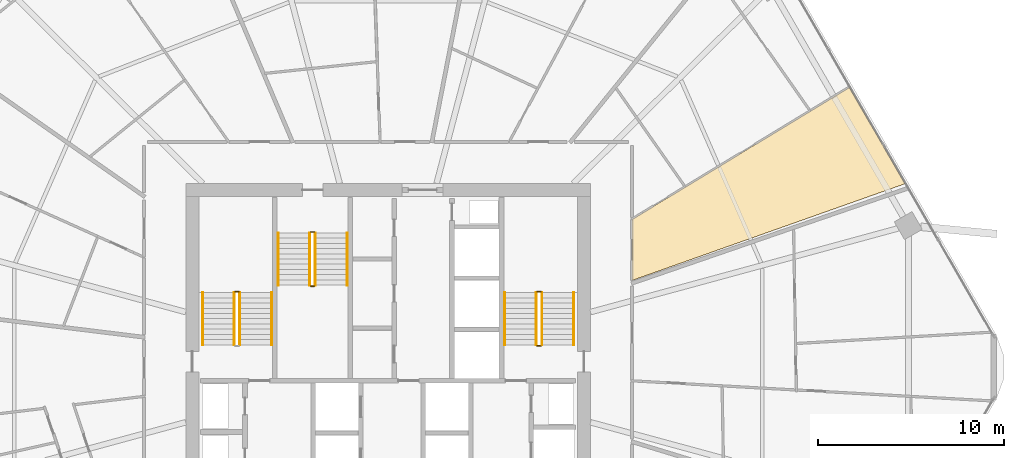
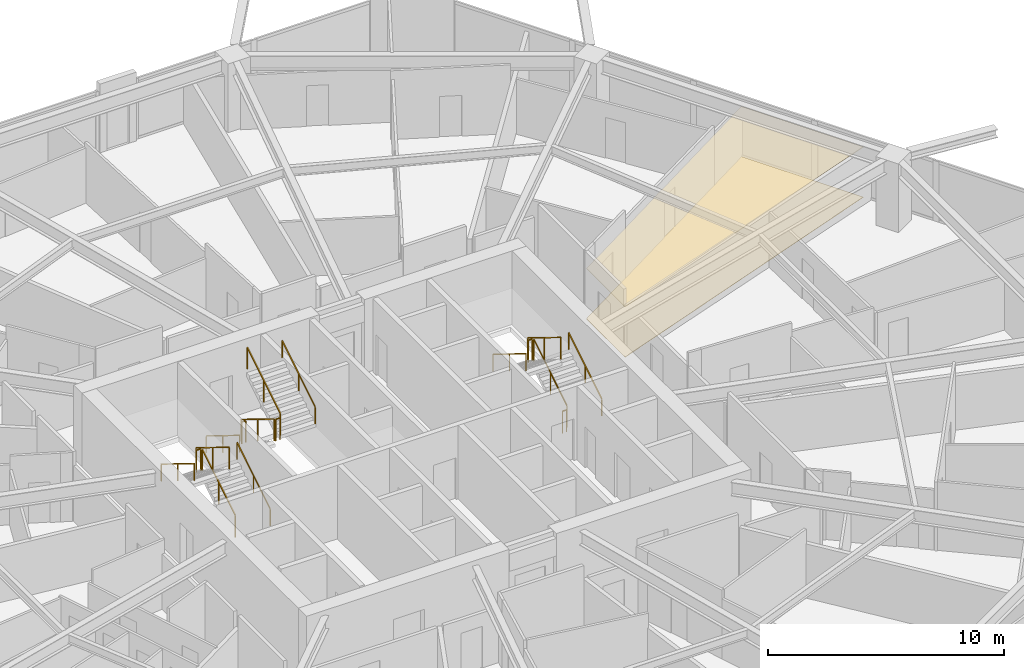
# One storey, part 32 of 33: 17 railings, 2 coverings.
"""IFC4 building model written with IfcOpenShell, lengths in metres."""

from ifc_helpers import new_model, si_unit, direction, frame, origin, origin_2d, place, context, subcontext, project, spatial, polyline, rectangle, outline, extrude, material, layer, layer_set, type_object, element, save


model = new_model("IFC4")

# Units and contexts
model_context = context("Model", 3, precision=1e-05, world=origin(), true_north=direction((0.0, 1.0)))
body_context = subcontext(model_context, "Body", "Model", "MODEL_VIEW")
ifc_project = project(units=[si_unit("LENGTHUNIT", "METRE"), si_unit("AREAUNIT", "SQUARE_METRE"), si_unit("VOLUMEUNIT", "CUBIC_METRE"), si_unit("PLANEANGLEUNIT", "RADIAN"), si_unit("MASSUNIT", "GRAM", prefix="KILO")], contexts=[model_context])

# Site, building, storey
site_placement = place(None, origin())
site = spatial("IfcSite", under=ifc_project, at=site_placement, CompositionType="ELEMENT")
building_placement = place(site_placement, origin())
building = spatial("IfcBuilding", under=site, at=building_placement, Name="Zuhravey Tower", CompositionType="ELEMENT")
storey_placement = place(building_placement, frame((0.0, 0.0, 103.800048828125)))
storey = spatial("IfcBuildingStorey", under=building, at=storey_placement, Name="L25", CompositionType="ELEMENT", Elevation=103.800048828125)

# Coverings
ifc_material_1 = material(Name="Mineral-fibre acoustic ceiling tile")
ifc_layer_1 = layer(ifc_material_1, 0.02490234375)
ifc_layer_set_1 = layer_set([ifc_layer_1], Name="Mineral-fibre acoustic ceiling tile")
covering_type_1 = type_object("IfcCoveringType", Name="Acoustic Suspended Ceiling", PredefinedType="CEILING", material=ifc_layer_set_1)
covering_1_placement = place(storey_placement, frame((0.0, 0.0, 2.58984375)))
element("IfcCovering", 1, at=covering_1_placement, inside=storey, type_object=covering_type_1, Name="L25 Acoustic Suspended Ceiling CLG1", PredefinedType="CEILING", context=body_context, shape_type="SweptSolid", body=[
    extrude(outline(polyline([(49.080078125, 39.923095703125), (60.731201171875, 47.00146484375), (63.7138671875, 41.835205078125), (49.080078125, 36.653076171875), (49.080078125, 39.923095703125)])), origin(), (0.0, 0.0, 1.0), 0.025146484375),
])
ifc_material_2 = material(Name="Porcelain tile finish")
ifc_layer_2 = layer(ifc_material_2, 0.02001953125)
ifc_layer_set_2 = layer_set([ifc_layer_2], Name="Porcelain tile finish")
covering_type_2 = type_object("IfcCoveringType", Name="Apartment Ondol Porcelain Flooring", PredefinedType="FLOORING", material=ifc_layer_set_2)
covering_2_placement = place(storey_placement, origin())
element("IfcCovering", 2, at=covering_2_placement, inside=storey, type_object=covering_type_2, Name="L25 Principal Room Acoustic Flooring", PredefinedType="FLOORING", context=body_context, shape_type="SweptSolid", body=[
    extrude(outline(polyline([(49.080078125, 39.923095703125), (60.731201171875, 47.00146484375), (63.7138671875, 41.835205078125), (49.080078125, 36.653076171875), (49.080078125, 39.923095703125)])), origin(), (0.0, 0.0, 1.0), 0.02001953125),
])

# Railings
ifc_material_3 = material(Name="Brushed stainless steel", Category="steel")
railing_type_1 = type_object("IfcRailingType", Name="Stair Wall Handrail 900", PredefinedType="HANDRAIL", material=ifc_material_3)
railing_1_placement = place(storey_placement, frame((29.75, 33.199951171875, 0.172607421875)))
element("IfcRailing", 3, at=railing_1_placement, inside=storey, type_object=railing_type_1, Name="L25 ST1 stair handrail 1", PredefinedType="HANDRAIL", context=body_context, shape_type="SweptSolid", body=[
    extrude(rectangle(XDim=0.048095703125, YDim=0.048095703125, at=origin_2d()), frame((0.0, 0.001708984375, 0.876953125), z_axis=(0.0, 0.851089632645, 0.525020415988), x_axis=(-1.0, 0.0, 0.0)), (0.0, 0.0, 1.0), 3.285888671875),
    extrude(rectangle(XDim=0.0419921875, YDim=0.0419921875, at=origin_2d()), origin(), (0.0, 0.0, 1.0), 0.849853515625),
    extrude(rectangle(XDim=0.0419921875, YDim=0.0419921875, at=origin_2d()), frame((0.0, 1.39990234375, 0.86376953125)), (0.0, 0.0, 1.0), 0.849853515625),
    extrude(rectangle(XDim=0.0419921875, YDim=0.0419921875, at=origin_2d()), frame((0.0, 2.800048828125, 1.727294921875)), (0.0, 0.0, 1.0), 0.849853515625),
])
railing_2_placement = place(storey_placement, frame((26.050048828125, 36.0, 2.07275390625)))
element("IfcRailing", 4, at=railing_2_placement, inside=storey, type_object=railing_type_1, Name="L25 ST1 stair handrail 2", PredefinedType="HANDRAIL", context=body_context, shape_type="SweptSolid", body=[
    extrude(rectangle(XDim=0.048095703125, YDim=0.048095703125, at=origin_2d()), frame((0.0, -0.001708984375, 0.876953125), z_axis=(0.0, -0.851089632645, 0.525020415988), x_axis=(1.0, 0.0, 0.0)), (0.0, 0.0, 1.0), 3.285888671875),
    extrude(rectangle(XDim=0.0419921875, YDim=0.0419921875, at=origin_2d()), origin(), (0.0, 0.0, 1.0), 0.849853515625),
    extrude(rectangle(XDim=0.0419921875, YDim=0.0419921875, at=origin_2d()), frame((0.0, -1.39990234375, 0.86376953125)), (0.0, 0.0, 1.0), 0.849853515625),
    extrude(rectangle(XDim=0.0419921875, YDim=0.0419921875, at=origin_2d()), frame((0.0, -2.800048828125, 1.727294921875)), (0.0, 0.0, 1.0), 0.849853515625),
])
railing_3_placement = place(storey_placement, frame((45.949951171875, 33.199951171875, 0.172607421875)))
element("IfcRailing", 5, at=railing_3_placement, inside=storey, type_object=railing_type_1, Name="L25 ST2 stair handrail 1", PredefinedType="HANDRAIL", context=body_context, shape_type="SweptSolid", body=[
    extrude(rectangle(XDim=0.048095703125, YDim=0.048095703125, at=origin_2d()), frame((0.0, 0.001708984375, 0.876953125), z_axis=(0.0, 0.851089632645, 0.525020415988), x_axis=(-1.0, 0.0, 0.0)), (0.0, 0.0, 1.0), 3.285888671875),
    extrude(rectangle(XDim=0.0419921875, YDim=0.0419921875, at=origin_2d()), origin(), (0.0, 0.0, 1.0), 0.849853515625),
    extrude(rectangle(XDim=0.0419921875, YDim=0.0419921875, at=origin_2d()), frame((0.0, 1.39990234375, 0.86376953125)), (0.0, 0.0, 1.0), 0.849853515625),
    extrude(rectangle(XDim=0.0419921875, YDim=0.0419921875, at=origin_2d()), frame((0.0, 2.800048828125, 1.727294921875)), (0.0, 0.0, 1.0), 0.849853515625),
])
for number, where, name in (
    (6, (42.25, 36.0, 2.07275390625), "L25 ST2 stair handrail 2"),
    (7, (30.10009765625, 39.199951171875, 0.172607421875), "L25 ST3 stair handrail 1"),
):
    element("IfcRailing", number, at=place(storey_placement, frame(where)), inside=storey, type_object=railing_type_1, Name=name, PredefinedType="HANDRAIL", context=body_context, shape_type="SweptSolid", body=[
        extrude(rectangle(XDim=0.048095703125, YDim=0.048095703125, at=origin_2d()), frame((0.0, -0.001708984375, 0.876953125), z_axis=(0.0, -0.851089632645, 0.525020415988), x_axis=(1.0, 0.0, 0.0)), (0.0, 0.0, 1.0), 3.285888671875),
        extrude(rectangle(XDim=0.0419921875, YDim=0.0419921875, at=origin_2d()), origin(), (0.0, 0.0, 1.0), 0.849853515625),
        extrude(rectangle(XDim=0.0419921875, YDim=0.0419921875, at=origin_2d()), frame((0.0, -1.39990234375, 0.86376953125)), (0.0, 0.0, 1.0), 0.849853515625),
        extrude(rectangle(XDim=0.0419921875, YDim=0.0419921875, at=origin_2d()), frame((0.0, -2.800048828125, 1.727294921875)), (0.0, 0.0, 1.0), 0.849853515625),
    ])
railing_4_placement = place(storey_placement, frame((33.800048828125, 36.39990234375, 2.07275390625)))
element("IfcRailing", 8, at=railing_4_placement, inside=storey, type_object=railing_type_1, Name="L25 ST3 stair handrail 2", PredefinedType="HANDRAIL", context=body_context, shape_type="SweptSolid", body=[
    extrude(rectangle(XDim=0.048095703125, YDim=0.048095703125, at=origin_2d()), frame((0.0, 0.001708984375, 0.876953125), z_axis=(0.0, 0.851089632645, 0.525020415988), x_axis=(-1.0, 0.0, 0.0)), (0.0, 0.0, 1.0), 3.285888671875),
    extrude(rectangle(XDim=0.0419921875, YDim=0.0419921875, at=origin_2d()), origin(), (0.0, 0.0, 1.0), 0.849853515625),
    extrude(rectangle(XDim=0.0419921875, YDim=0.0419921875, at=origin_2d()), frame((0.0, 1.39990234375, 0.86376953125)), (0.0, 0.0, 1.0), 0.849853515625),
    extrude(rectangle(XDim=0.0419921875, YDim=0.0419921875, at=origin_2d()), frame((0.0, 2.800048828125, 1.727294921875)), (0.0, 0.0, 1.0), 0.849853515625),
])
ifc_material_4 = material(Name="Painted tubular steel", Category="steel")
railing_type_2 = type_object("IfcRailingType", Name="Stair Well Guardrail 1150", PredefinedType="GUARDRAIL", material=ifc_material_4)
railing_5_placement = place(storey_placement, frame((28.050048828125, 33.199951171875, 0.172607421875)))
element("IfcRailing", 9, at=railing_5_placement, inside=storey, type_object=railing_type_2, Name="L25 ST1 stair guard 1", PredefinedType="GUARDRAIL", context=body_context, shape_type="SweptSolid", body=[
    extrude(rectangle(XDim=0.048095703125, YDim=0.048095703125, at=origin_2d()), frame((0.0, 0.001708984375, 1.126953125), z_axis=(0.0, 0.851089632645, 0.525020415988), x_axis=(-1.0, 0.0, 0.0)), (0.0, 0.0, 1.0), 3.285888671875),
    extrude(rectangle(XDim=0.0419921875, YDim=0.0419921875, at=origin_2d()), origin(), (0.0, 0.0, 1.0), 1.099853515625),
    extrude(rectangle(XDim=0.0419921875, YDim=0.0419921875, at=origin_2d()), frame((0.0, 1.39990234375, 0.86376953125)), (0.0, 0.0, 1.0), 1.099853515625),
    extrude(rectangle(XDim=0.0419921875, YDim=0.0419921875, at=origin_2d()), frame((0.0, 2.800048828125, 1.727294921875)), (0.0, 0.0, 1.0), 1.099853515625),
])
railing_6_placement = place(storey_placement, frame((28.0, 36.050048828125, 1.89990234375)))
element("IfcRailing", 10, at=railing_6_placement, inside=storey, type_object=railing_type_2, Name="L25 ST1 stair guard 2", PredefinedType="GUARDRAIL", context=body_context, shape_type="SweptSolid", body=[
    extrude(rectangle(XDim=0.048095703125, YDim=0.048095703125, at=origin_2d()), frame((-0.001953125, 0.0, 1.1259765625), z_axis=(-1.0, 0.0, 0.0), x_axis=(0.0, -1.0, 0.0)), (0.0, 0.0, 1.0), 0.196044921875),
    extrude(rectangle(XDim=0.0419921875, YDim=0.0419921875, at=origin_2d()), origin(), (0.0, 0.0, 1.0), 1.099853515625),
    extrude(rectangle(XDim=0.0419921875, YDim=0.0419921875, at=origin_2d()), frame((-0.199951171875, 0.0, 0.0)), (0.0, 0.0, 1.0), 1.099853515625),
])
railing_7_placement = place(storey_placement, frame((27.75, 36.0, 2.07275390625)))
element("IfcRailing", 11, at=railing_7_placement, inside=storey, type_object=railing_type_2, Name="L25 ST1 stair guard 3", PredefinedType="GUARDRAIL", context=body_context, shape_type="SweptSolid", body=[
    extrude(rectangle(XDim=0.048095703125, YDim=0.048095703125, at=origin_2d()), frame((0.0, -0.001708984375, 1.126953125), z_axis=(0.0, -0.851089632645, 0.525020415988), x_axis=(1.0, 0.0, 0.0)), (0.0, 0.0, 1.0), 3.285888671875),
    extrude(rectangle(XDim=0.0419921875, YDim=0.0419921875, at=origin_2d()), origin(), (0.0, 0.0, 1.0), 1.099853515625),
    extrude(rectangle(XDim=0.0419921875, YDim=0.0419921875, at=origin_2d()), frame((0.0, -1.39990234375, 0.86376953125)), (0.0, 0.0, 1.0), 1.099853515625),
    extrude(rectangle(XDim=0.0419921875, YDim=0.0419921875, at=origin_2d()), frame((0.0, -2.800048828125, 1.727294921875)), (0.0, 0.0, 1.0), 1.099853515625),
])
railing_8_placement = place(storey_placement, frame((44.25, 33.199951171875, 0.172607421875)))
element("IfcRailing", 12, at=railing_8_placement, inside=storey, type_object=railing_type_2, Name="L25 ST2 stair guard 1", PredefinedType="GUARDRAIL", context=body_context, shape_type="SweptSolid", body=[
    extrude(rectangle(XDim=0.048095703125, YDim=0.048095703125, at=origin_2d()), frame((0.0, 0.001708984375, 1.126953125), z_axis=(0.0, 0.851089632645, 0.525020415988), x_axis=(-1.0, 0.0, 0.0)), (0.0, 0.0, 1.0), 3.285888671875),
    extrude(rectangle(XDim=0.0419921875, YDim=0.0419921875, at=origin_2d()), origin(), (0.0, 0.0, 1.0), 1.099853515625),
    extrude(rectangle(XDim=0.0419921875, YDim=0.0419921875, at=origin_2d()), frame((0.0, 1.39990234375, 0.86376953125)), (0.0, 0.0, 1.0), 1.099853515625),
    extrude(rectangle(XDim=0.0419921875, YDim=0.0419921875, at=origin_2d()), frame((0.0, 2.800048828125, 1.727294921875)), (0.0, 0.0, 1.0), 1.099853515625),
])
railing_9_placement = place(storey_placement, frame((44.199951171875, 36.050048828125, 1.89990234375)))
element("IfcRailing", 13, at=railing_9_placement, inside=storey, type_object=railing_type_2, Name="L25 ST2 stair guard 2", PredefinedType="GUARDRAIL", context=body_context, shape_type="SweptSolid", body=[
    extrude(rectangle(XDim=0.048095703125, YDim=0.048095703125, at=origin_2d()), frame((-0.001953125, 0.0, 1.1259765625), z_axis=(-1.0, 0.0, 0.0), x_axis=(0.0, -1.0, 0.0)), (0.0, 0.0, 1.0), 0.196044921875),
    extrude(rectangle(XDim=0.0419921875, YDim=0.0419921875, at=origin_2d()), origin(), (0.0, 0.0, 1.0), 1.099853515625),
    extrude(rectangle(XDim=0.0419921875, YDim=0.0419921875, at=origin_2d()), frame((-0.199951171875, 0.0, 0.0)), (0.0, 0.0, 1.0), 1.099853515625),
])
railing_10_placement = place(storey_placement, frame((43.949951171875, 36.0, 2.07275390625)))
element("IfcRailing", 14, at=railing_10_placement, inside=storey, type_object=railing_type_2, Name="L25 ST2 stair guard 3", PredefinedType="GUARDRAIL", context=body_context, shape_type="SweptSolid", body=[
    extrude(rectangle(XDim=0.048095703125, YDim=0.048095703125, at=origin_2d()), frame((0.0, -0.001708984375, 1.126953125), z_axis=(0.0, -0.851089632645, 0.525020415988), x_axis=(1.0, 0.0, 0.0)), (0.0, 0.0, 1.0), 3.285888671875),
    extrude(rectangle(XDim=0.0419921875, YDim=0.0419921875, at=origin_2d()), origin(), (0.0, 0.0, 1.0), 1.099853515625),
    extrude(rectangle(XDim=0.0419921875, YDim=0.0419921875, at=origin_2d()), frame((0.0, -1.39990234375, 0.86376953125)), (0.0, 0.0, 1.0), 1.099853515625),
    extrude(rectangle(XDim=0.0419921875, YDim=0.0419921875, at=origin_2d()), frame((0.0, -2.800048828125, 1.727294921875)), (0.0, 0.0, 1.0), 1.099853515625),
])
railing_11_placement = place(storey_placement, frame((44.199951171875, 33.14990234375, 0.0)))
element("IfcRailing", 15, at=railing_11_placement, inside=storey, type_object=railing_type_2, Name="L25 ST2 stair guard 4", PredefinedType="GUARDRAIL", context=body_context, shape_type="SweptSolid", body=[
    extrude(rectangle(XDim=0.048095703125, YDim=0.048095703125, at=origin_2d()), frame((-0.001953125, 0.0, 1.1259765625), z_axis=(-1.0, 0.0, 0.0), x_axis=(0.0, -1.0, 0.0)), (0.0, 0.0, 1.0), 0.196044921875),
    extrude(rectangle(XDim=0.0419921875, YDim=0.0419921875, at=origin_2d()), origin(), (0.0, 0.0, 1.0), 1.099853515625),
    extrude(rectangle(XDim=0.0419921875, YDim=0.0419921875, at=origin_2d()), frame((-0.199951171875, 0.0, 0.0)), (0.0, 0.0, 1.0), 1.099853515625),
])
railing_12_placement = place(storey_placement, frame((31.800048828125, 39.199951171875, 0.172607421875)))
element("IfcRailing", 16, at=railing_12_placement, inside=storey, type_object=railing_type_2, Name="L25 ST3 stair guard 1", PredefinedType="GUARDRAIL", context=body_context, shape_type="SweptSolid", body=[
    extrude(rectangle(XDim=0.048095703125, YDim=0.048095703125, at=origin_2d()), frame((0.0, -0.001708984375, 1.126953125), z_axis=(0.0, -0.851089632645, 0.525020415988), x_axis=(1.0, 0.0, 0.0)), (0.0, 0.0, 1.0), 3.285888671875),
    extrude(rectangle(XDim=0.0419921875, YDim=0.0419921875, at=origin_2d()), origin(), (0.0, 0.0, 1.0), 1.099853515625),
    extrude(rectangle(XDim=0.0419921875, YDim=0.0419921875, at=origin_2d()), frame((0.0, -1.39990234375, 0.86376953125)), (0.0, 0.0, 1.0), 1.099853515625),
    extrude(rectangle(XDim=0.0419921875, YDim=0.0419921875, at=origin_2d()), frame((0.0, -2.800048828125, 1.727294921875)), (0.0, 0.0, 1.0), 1.099853515625),
])
railing_13_placement = place(storey_placement, frame((31.85009765625, 36.35009765625, 1.89990234375)))
element("IfcRailing", 17, at=railing_13_placement, inside=storey, type_object=railing_type_2, Name="L25 ST3 stair guard 2", PredefinedType="GUARDRAIL", context=body_context, shape_type="SweptSolid", body=[
    extrude(rectangle(XDim=0.048095703125, YDim=0.048095703125, at=origin_2d()), frame((0.001953125, 0.0, 1.1259765625), z_axis=(1.0, 0.0, 0.0), x_axis=(0.0, 1.0, 0.0)), (0.0, 0.0, 1.0), 0.196044921875),
    extrude(rectangle(XDim=0.0419921875, YDim=0.0419921875, at=origin_2d()), origin(), (0.0, 0.0, 1.0), 1.099853515625),
    extrude(rectangle(XDim=0.0419921875, YDim=0.0419921875, at=origin_2d()), frame((0.199951171875, 0.0, 0.0)), (0.0, 0.0, 1.0), 1.099853515625),
])
railing_14_placement = place(storey_placement, frame((32.10009765625, 36.39990234375, 2.07275390625)))
element("IfcRailing", 18, at=railing_14_placement, inside=storey, type_object=railing_type_2, Name="L25 ST3 stair guard 3", PredefinedType="GUARDRAIL", context=body_context, shape_type="SweptSolid", body=[
    extrude(rectangle(XDim=0.048095703125, YDim=0.048095703125, at=origin_2d()), frame((0.0, 0.001708984375, 1.126953125), z_axis=(0.0, 0.851089632645, 0.525020415988), x_axis=(-1.0, 0.0, 0.0)), (0.0, 0.0, 1.0), 3.285888671875),
    extrude(rectangle(XDim=0.0419921875, YDim=0.0419921875, at=origin_2d()), origin(), (0.0, 0.0, 1.0), 1.099853515625),
    extrude(rectangle(XDim=0.0419921875, YDim=0.0419921875, at=origin_2d()), frame((0.0, 1.39990234375, 0.86376953125)), (0.0, 0.0, 1.0), 1.099853515625),
    extrude(rectangle(XDim=0.0419921875, YDim=0.0419921875, at=origin_2d()), frame((0.0, 2.800048828125, 1.727294921875)), (0.0, 0.0, 1.0), 1.099853515625),
])
railing_15_placement = place(storey_placement, frame((31.85009765625, 39.25, 0.0)))
element("IfcRailing", 19, at=railing_15_placement, inside=storey, type_object=railing_type_2, Name="L25 ST3 stair guard 4", PredefinedType="GUARDRAIL", context=body_context, shape_type="SweptSolid", body=[
    extrude(rectangle(XDim=0.048095703125, YDim=0.048095703125, at=origin_2d()), frame((0.001953125, 0.0, 1.1259765625), z_axis=(1.0, 0.0, 0.0), x_axis=(0.0, 1.0, 0.0)), (0.0, 0.0, 1.0), 0.196044921875),
    extrude(rectangle(XDim=0.0419921875, YDim=0.0419921875, at=origin_2d()), origin(), (0.0, 0.0, 1.0), 1.099853515625),
    extrude(rectangle(XDim=0.0419921875, YDim=0.0419921875, at=origin_2d()), frame((0.199951171875, 0.0, 0.0)), (0.0, 0.0, 1.0), 1.099853515625),
])

save(model, "model.ifc")
